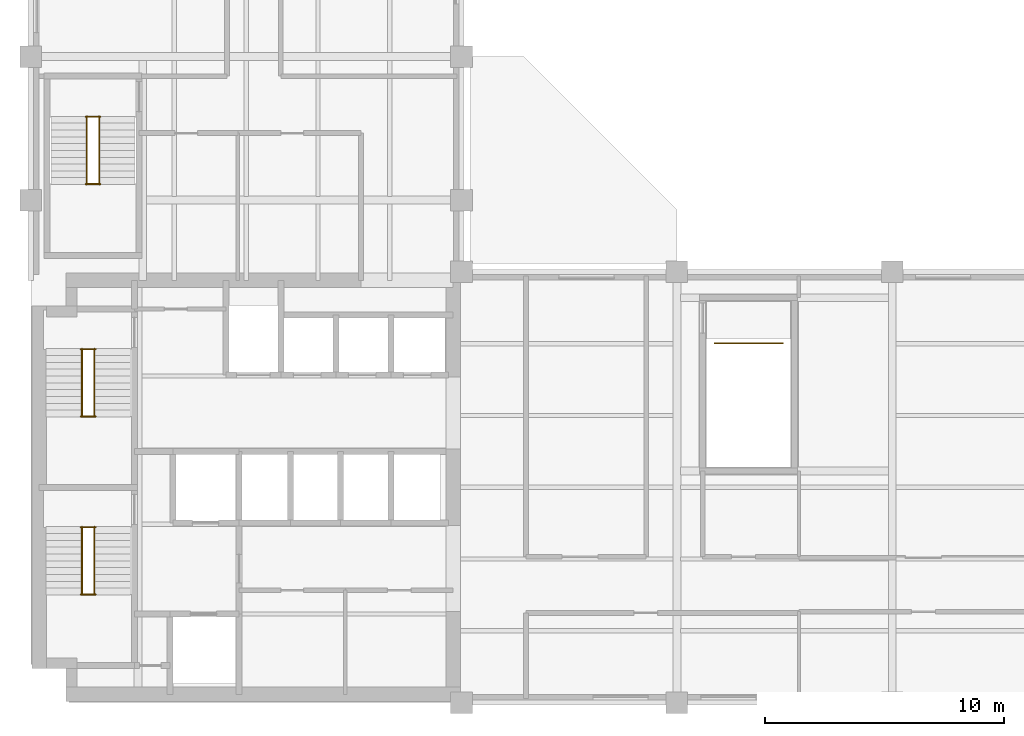
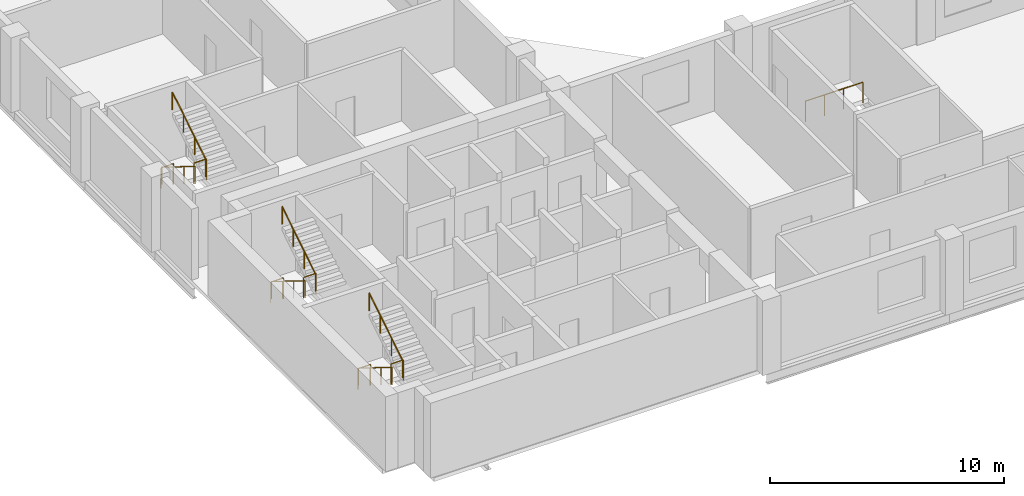
# One storey, part 6 of 6: 13 railings.
"""IFC4 building model written with IfcOpenShell, lengths in metres."""

from ifc_helpers import new_model, si_unit, direction, frame, origin, origin_2d, place, context, subcontext, project, spatial, circle, extrude, material, type_object, element, save


model = new_model("IFC4")

# Units and contexts
model_context = context("Model", 3, precision=1e-05, world=origin(), true_north=direction((0.0, 1.0)))
body_context = subcontext(model_context, "Body", "Model", "MODEL_VIEW")
ifc_project = project(units=[si_unit("LENGTHUNIT", "METRE"), si_unit("AREAUNIT", "SQUARE_METRE"), si_unit("VOLUMEUNIT", "CUBIC_METRE"), si_unit("PLANEANGLEUNIT", "RADIAN"), si_unit("MASSUNIT", "GRAM", prefix="KILO")], contexts=[model_context])

# Site, building, storey
site_placement = place(None, origin())
site = spatial("IfcSite", under=ifc_project, at=site_placement, CompositionType="ELEMENT")
building_placement = place(site_placement, origin())
building = spatial("IfcBuilding", under=site, at=building_placement, Name="Mawjdan Bourse Tower", CompositionType="ELEMENT")
storey_placement = place(building_placement, frame((0.0, 0.0, 164.39990234375)))
storey = spatial("IfcBuildingStorey", under=building, at=storey_placement, Name="L39", CompositionType="ELEMENT", Elevation=164.39990234375)

# Railings
ifc_material_1 = material(Name="Structural Steel S355", Category="steel")
railing_type_1 = type_object("IfcRailingType", Name="RLG-GRD-1100", PredefinedType="GUARDRAIL", material=ifc_material_1)
for number, where, name in (
    (1, (8.090087890625, 7.52001953125, 1.9501953125), "L39 ST1 Landing Guardrail GL-MID"),
    (2, (8.090087890625, 10.330078125, 0.0), "L39 ST1 Landing Guardrail GL-BOT"),
    (3, (8.090087890625, 14.9599609375, 1.9501953125), "L39 ST2 Landing Guardrail GL-MID"),
    (4, (8.090087890625, 17.77001953125, 0.0), "L39 ST2 Landing Guardrail GL-BOT"),
    (5, (8.2900390625, 24.669921875, 1.9501953125), "L39 ST3 Landing Guardrail GL-MID"),
    (6, (8.2900390625, 27.47998046875, 0.0), "L39 ST3 Landing Guardrail GL-BOT"),
):
    element("IfcRailing", number, at=place(storey_placement, frame(where)), inside=storey, type_object=railing_type_1, Name=name, PredefinedType="GUARDRAIL", context=body_context, shape_type="SweptSolid", body=[
        extrude(circle(Radius=0.02490234375, at=origin_2d()), frame((0.0, 0.0, 1.0751953125), z_axis=(1.0, 0.0, 0.0), x_axis=(0.0, 1.0, 0.0)), (0.0, 0.0, 1.0), 0.619873046875),
        extrude(circle(Radius=0.02099609375, at=origin_2d()), origin(), (0.0, 0.0, 1.0), 1.050048828125),
        extrude(circle(Radius=0.02099609375, at=origin_2d()), frame((0.619873046875, 0.0, 0.0)), (0.0, 0.0, 1.0), 1.050048828125),
    ])
railing_1_placement = place(storey_placement, frame((34.580078125, 18.02001953125, 0.0)))
element("IfcRailing", 7, at=railing_1_placement, inside=storey, type_object=railing_type_1, Name="L39 ST5B Top Well Guardrail", PredefinedType="GUARDRAIL", context=body_context, shape_type="SweptSolid", body=[
    extrude(circle(Radius=0.02490234375, at=origin_2d()), frame((0.0, 0.0, 1.0751953125), z_axis=(1.0, 0.0, 0.0), x_axis=(0.0, 1.0, 0.0)), (0.0, 0.0, 1.0), 2.83984375),
    extrude(circle(Radius=0.02099609375, at=origin_2d()), origin(), (0.0, 0.0, 1.0), 1.050048828125),
    extrude(circle(Radius=0.02099609375, at=origin_2d()), frame((0.946533203125, 0.0, 0.0)), (0.0, 0.0, 1.0), 1.050048828125),
    extrude(circle(Radius=0.02099609375, at=origin_2d()), frame((1.893310546875, 0.0, 0.0)), (0.0, 0.0, 1.0), 1.050048828125),
    extrude(circle(Radius=0.02099609375, at=origin_2d()), frame((2.83984375, 0.0, 0.0)), (0.0, 0.0, 1.0), 1.050048828125),
])
ifc_material_2 = material(Name="Brushed Stainless Steel", Category="steel")
railing_type_2 = type_object("IfcRailingType", Name="RLG-HND-920", PredefinedType="HANDRAIL", material=ifc_material_2)
railing_2_placement = place(storey_placement, frame((8.139892578125, 10.35009765625, 0.177490234375)))
element("IfcRailing", 8, at=railing_2_placement, inside=storey, type_object=railing_type_2, Name="L39 ST1 Flight Handrail HR1", PredefinedType="HANDRAIL", context=body_context, shape_type="SweptSolid", body=[
    extrude(circle(Radius=0.0224609375, at=origin_2d()), frame((0.0, 0.0, 0.8974609375), z_axis=(0.0, -0.849148672731, 0.528153890072), x_axis=(1.0, 0.0, 0.0)), (0.0, 0.0, 1.0), 3.3564453125),
    extrude(circle(Radius=0.01904296875, at=origin_2d()), origin(), (0.0, 0.0, 1.0), 0.875),
    extrude(circle(Radius=0.01904296875, at=origin_2d()), frame((0.0, -0.949951171875, 0.5908203125)), (0.0, 0.0, 1.0), 0.875),
    extrude(circle(Radius=0.01904296875, at=origin_2d()), frame((0.0, -1.900146484375, 1.181884765625)), (0.0, 0.0, 1.0), 0.875),
    extrude(circle(Radius=0.01904296875, at=origin_2d()), frame((0.0, -2.85009765625, 1.772705078125)), (0.0, 0.0, 1.0), 0.875),
])
railing_3_placement = place(storey_placement, frame((8.659912109375, 7.5, 2.12744140625)))
element("IfcRailing", 9, at=railing_3_placement, inside=storey, type_object=railing_type_2, Name="L39 ST1 Flight Handrail HR2", PredefinedType="HANDRAIL", context=body_context, shape_type="SweptSolid", body=[
    extrude(circle(Radius=0.0224609375, at=origin_2d()), frame((0.0, 0.0, 0.8974609375), z_axis=(0.0, 0.849148672731, 0.528153890072), x_axis=(-1.0, 0.0, 0.0)), (0.0, 0.0, 1.0), 3.3564453125),
    extrude(circle(Radius=0.01904296875, at=origin_2d()), origin(), (0.0, 0.0, 1.0), 0.875),
    extrude(circle(Radius=0.01904296875, at=origin_2d()), frame((0.0, 0.949951171875, 0.5908203125)), (0.0, 0.0, 1.0), 0.875),
    extrude(circle(Radius=0.01904296875, at=origin_2d()), frame((0.0, 1.900146484375, 1.181884765625)), (0.0, 0.0, 1.0), 0.875),
    extrude(circle(Radius=0.01904296875, at=origin_2d()), frame((0.0, 2.85009765625, 1.772705078125)), (0.0, 0.0, 1.0), 0.875),
])
railing_4_placement = place(storey_placement, frame((8.139892578125, 17.7900390625, 0.177490234375)))
element("IfcRailing", 10, at=railing_4_placement, inside=storey, type_object=railing_type_2, Name="L39 ST2 Flight Handrail HR1", PredefinedType="HANDRAIL", context=body_context, shape_type="SweptSolid", body=[
    extrude(circle(Radius=0.0224609375, at=origin_2d()), frame((0.0, 0.0, 0.8974609375), z_axis=(0.0, -0.849148672731, 0.528153890072), x_axis=(1.0, 0.0, 0.0)), (0.0, 0.0, 1.0), 3.3564453125),
    extrude(circle(Radius=0.01904296875, at=origin_2d()), origin(), (0.0, 0.0, 1.0), 0.875),
    extrude(circle(Radius=0.01904296875, at=origin_2d()), frame((0.0, -0.949951171875, 0.5908203125)), (0.0, 0.0, 1.0), 0.875),
    extrude(circle(Radius=0.01904296875, at=origin_2d()), frame((0.0, -1.900146484375, 1.181884765625)), (0.0, 0.0, 1.0), 0.875),
    extrude(circle(Radius=0.01904296875, at=origin_2d()), frame((0.0, -2.85009765625, 1.772705078125)), (0.0, 0.0, 1.0), 0.875),
])
railing_5_placement = place(storey_placement, frame((8.659912109375, 14.93994140625, 2.12744140625)))
element("IfcRailing", 11, at=railing_5_placement, inside=storey, type_object=railing_type_2, Name="L39 ST2 Flight Handrail HR2", PredefinedType="HANDRAIL", context=body_context, shape_type="SweptSolid", body=[
    extrude(circle(Radius=0.0224609375, at=origin_2d()), frame((0.0, 0.0, 0.8974609375), z_axis=(0.0, 0.849148672731, 0.528153890072), x_axis=(-1.0, 0.0, 0.0)), (0.0, 0.0, 1.0), 3.3564453125),
    extrude(circle(Radius=0.01904296875, at=origin_2d()), origin(), (0.0, 0.0, 1.0), 0.875),
    extrude(circle(Radius=0.01904296875, at=origin_2d()), frame((0.0, 0.949951171875, 0.5908203125)), (0.0, 0.0, 1.0), 0.875),
    extrude(circle(Radius=0.01904296875, at=origin_2d()), frame((0.0, 1.900146484375, 1.181884765625)), (0.0, 0.0, 1.0), 0.875),
    extrude(circle(Radius=0.01904296875, at=origin_2d()), frame((0.0, 2.85009765625, 1.772705078125)), (0.0, 0.0, 1.0), 0.875),
])
railing_6_placement = place(storey_placement, frame((8.340087890625, 27.5, 0.177490234375)))
element("IfcRailing", 12, at=railing_6_placement, inside=storey, type_object=railing_type_2, Name="L39 ST3 Flight Handrail HR1", PredefinedType="HANDRAIL", context=body_context, shape_type="SweptSolid", body=[
    extrude(circle(Radius=0.0224609375, at=origin_2d()), frame((0.0, 0.0, 0.8974609375), z_axis=(0.0, -0.849148672731, 0.528153890072), x_axis=(1.0, 0.0, 0.0)), (0.0, 0.0, 1.0), 3.3564453125),
    extrude(circle(Radius=0.01904296875, at=origin_2d()), origin(), (0.0, 0.0, 1.0), 0.875),
    extrude(circle(Radius=0.01904296875, at=origin_2d()), frame((0.0, -0.949951171875, 0.5908203125)), (0.0, 0.0, 1.0), 0.875),
    extrude(circle(Radius=0.01904296875, at=origin_2d()), frame((0.0, -1.900146484375, 1.181884765625)), (0.0, 0.0, 1.0), 0.875),
    extrude(circle(Radius=0.01904296875, at=origin_2d()), frame((0.0, -2.85009765625, 1.772705078125)), (0.0, 0.0, 1.0), 0.875),
])
railing_7_placement = place(storey_placement, frame((8.860107421875, 24.64990234375, 2.12744140625)))
element("IfcRailing", 13, at=railing_7_placement, inside=storey, type_object=railing_type_2, Name="L39 ST3 Flight Handrail HR2", PredefinedType="HANDRAIL", context=body_context, shape_type="SweptSolid", body=[
    extrude(circle(Radius=0.0224609375, at=origin_2d()), frame((0.0, 0.0, 0.8974609375), z_axis=(0.0, 0.849148672731, 0.528153890072), x_axis=(-1.0, 0.0, 0.0)), (0.0, 0.0, 1.0), 3.3564453125),
    extrude(circle(Radius=0.01904296875, at=origin_2d()), origin(), (0.0, 0.0, 1.0), 0.875),
    extrude(circle(Radius=0.01904296875, at=origin_2d()), frame((0.0, 0.949951171875, 0.5908203125)), (0.0, 0.0, 1.0), 0.875),
    extrude(circle(Radius=0.01904296875, at=origin_2d()), frame((0.0, 1.900146484375, 1.181884765625)), (0.0, 0.0, 1.0), 0.875),
    extrude(circle(Radius=0.01904296875, at=origin_2d()), frame((0.0, 2.85009765625, 1.772705078125)), (0.0, 0.0, 1.0), 0.875),
])

save(model, "model.ifc")
